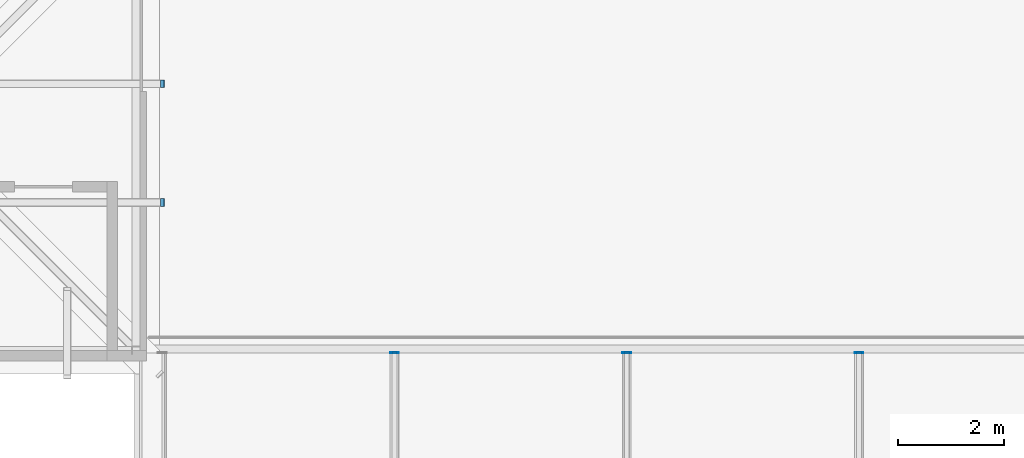
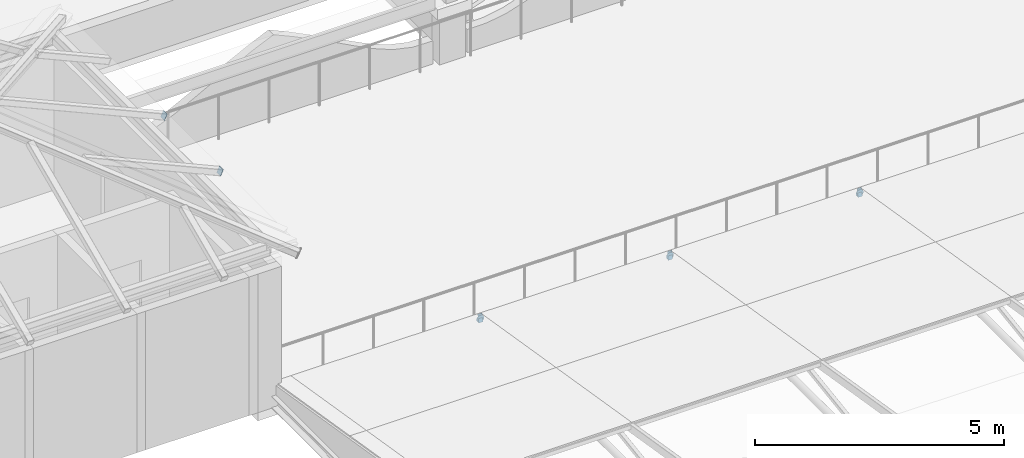
# One storey, part 54 of 69: 8 discrete accessories.
"""IFC4 building model written with IfcOpenShell, lengths in metres."""

from ifc_helpers import new_model, si_unit, direction, frame, origin, origin_2d, place, context, subcontext, project, spatial, rectangle, circle, extrude, material, material_profile, profile_set, type_object, element, save


model = new_model("IFC4")

# Units and contexts
model_context = context("Model", 3, precision=1e-05, world=origin(), true_north=direction((0.0, 1.0)))
body_context = subcontext(model_context, "Body", "Model", "MODEL_VIEW")
ifc_project = project(units=[si_unit("LENGTHUNIT", "METRE"), si_unit("AREAUNIT", "SQUARE_METRE"), si_unit("VOLUMEUNIT", "CUBIC_METRE"), si_unit("PLANEANGLEUNIT", "RADIAN"), si_unit("MASSUNIT", "GRAM", prefix="KILO")], contexts=[model_context])

# Site, building, storey
site_placement = place(None, origin())
site = spatial("IfcSite", under=ifc_project, at=site_placement, CompositionType="ELEMENT")
building_placement = place(site_placement, origin())
building = spatial("IfcBuilding", under=site, at=building_placement, Name="Kallimachos Central Library", CompositionType="ELEMENT")
storey_placement = place(building_placement, frame((0.0, 0.0, 23.39990234375)))
storey = spatial("IfcBuildingStorey", under=building, at=storey_placement, Name="L05", CompositionType="ELEMENT", Elevation=23.39990234375)

# Discrete accessories
ifc_material_1 = material(Name="Steel S355J2", Category="steel")
ifc_material_profile_1 = material_profile(ifc_material_1, rectangle(XDim=0.10009765625, YDim=0.199951171875, at=origin_2d()), Name="End cap plate 10, 100x200")
ifc_profile_set_1 = profile_set([ifc_material_profile_1], Name="Steel S355J2")
discrete_accessory_type_1 = type_object("IfcDiscreteAccessoryType", Name="End cap plate 10, 100x200", PredefinedType="BRACKET", material=ifc_profile_set_1)
for number, where, z_axis, x_axis, name in (
    (1, (79.199951171875, 75.159912109375, 0.389892578125), (0.0, -0.989461064134, 0.144799180117), (1.0, 0.0, 0.0), "End cap plate"),
    (2, (83.60009765625, 75.159912109375, 0.389892578125), (0.0, -0.989461064134, 0.144799180117), (1.0, 0.0, 0.0), "End cap plate"),
    (3, (88.0, 75.159912109375, 0.389892578125), (0.0, -0.989461064134, 0.144799180117), (1.0, 0.0, 0.0), "End cap plate"),
):
    element("IfcDiscreteAccessory", number, at=place(storey_placement, frame(where, z_axis=z_axis, x_axis=x_axis)), inside=storey, type_object=discrete_accessory_type_1, Name=name, PredefinedType="BRACKET", context=body_context, shape_type="SweptSolid", body=[
        extrude(rectangle(XDim=0.10009765625, YDim=0.199951171875, at=origin_2d()), origin(), (0.0, 0.0, 1.0), 0.010009765625),
    ])
ifc_material_2 = material(Name="Steel S355J2", Category="steel")
ifc_material_profile_2 = material_profile(ifc_material_2, rectangle(XDim=0.14990234375, YDim=0.14990234375, at=origin_2d()), Name="End cap plate 10, 150x150")
ifc_profile_set_2 = profile_set([ifc_material_profile_2], Name="Steel S355J2")
discrete_accessory_type_2 = type_object("IfcDiscreteAccessoryType", Name="End cap plate 10, 150x150", PredefinedType="BRACKET", material=ifc_profile_set_2)
for number, where, z_axis, x_axis, name in (
    (4, (74.80908203125, 78.0, 3.805419921875), (-0.908676843963, 0.0, 0.417500171551), (0.0, -1.0, 0.0), "End cap plate"),
    (5, (74.80908203125, 80.25, 3.805419921875), (-0.908676843963, 0.0, 0.417500171551), (0.0, -1.0, 0.0), "End cap plate"),
):
    element("IfcDiscreteAccessory", number, at=place(storey_placement, frame(where, z_axis=z_axis, x_axis=x_axis)), inside=storey, type_object=discrete_accessory_type_2, Name=name, PredefinedType="BRACKET", context=body_context, shape_type="SweptSolid", body=[
        extrude(rectangle(XDim=0.14990234375, YDim=0.14990234375, at=origin_2d()), origin(), (0.0, 0.0, 1.0), 0.010009765625),
    ])
ifc_material_3 = material(Name="Steel S355J2", Category="steel")
ifc_material_profile_3 = material_profile(ifc_material_3, circle(Radius=0.084228515625, at=origin_2d()), Name="End cap plate 10, round 168.3")
ifc_profile_set_3 = profile_set([ifc_material_profile_3], Name="Steel S355J2")
discrete_accessory_type_3 = type_object("IfcDiscreteAccessoryType", Name="End cap plate 10, round 168.3", PredefinedType="BRACKET", material=ifc_profile_set_3)
for number, where, z_axis, x_axis, name in (
    (6, (79.199951171875, 75.14990234375, 0.374267578125), (0.0, 1.0, 0.0), (-1.0, 0.0, 0.0), "End cap plate"),
    (7, (83.60009765625, 75.14990234375, 0.374267578125), (0.0, 1.0, 0.0), (-1.0, 0.0, 0.0), "End cap plate"),
    (8, (88.0, 75.14990234375, 0.374267578125), (0.0, 1.0, 0.0), (-1.0, 0.0, 0.0), "End cap plate"),
):
    element("IfcDiscreteAccessory", number, at=place(storey_placement, frame(where, z_axis=z_axis, x_axis=x_axis)), inside=storey, type_object=discrete_accessory_type_3, Name=name, PredefinedType="BRACKET", context=body_context, shape_type="SweptSolid", body=[
        extrude(circle(Radius=0.084228515625, at=origin_2d()), origin(), (0.0, 0.0, 1.0), 0.010009765625),
    ])

save(model, "model.ifc")
